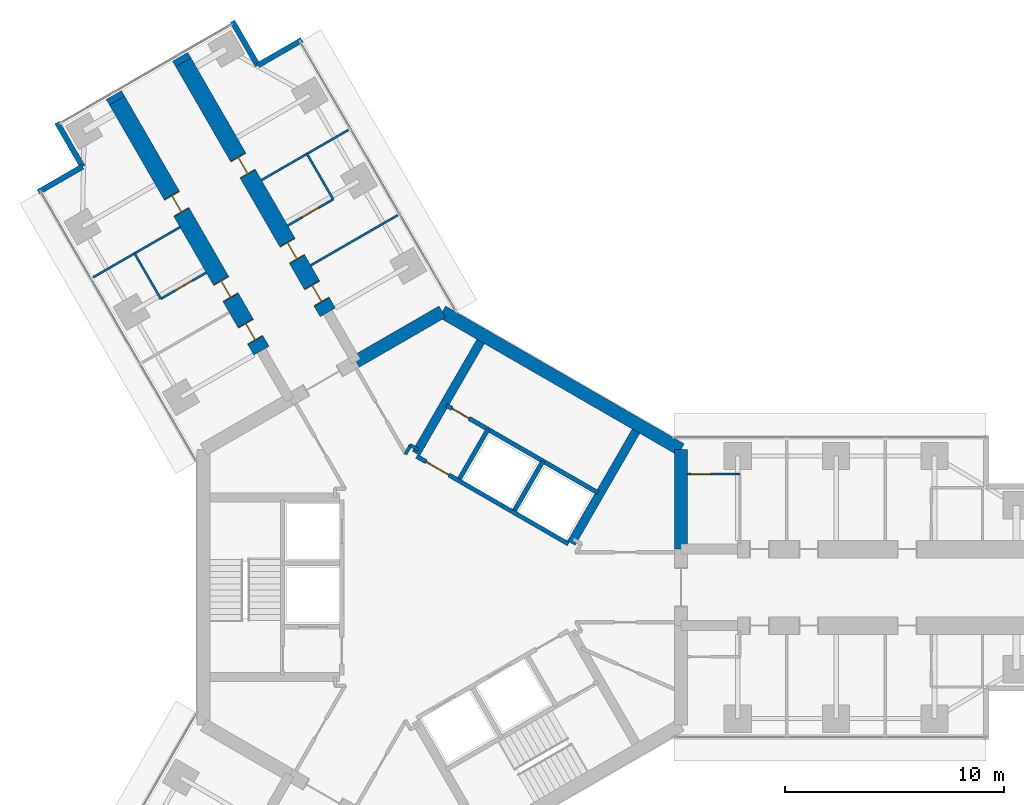
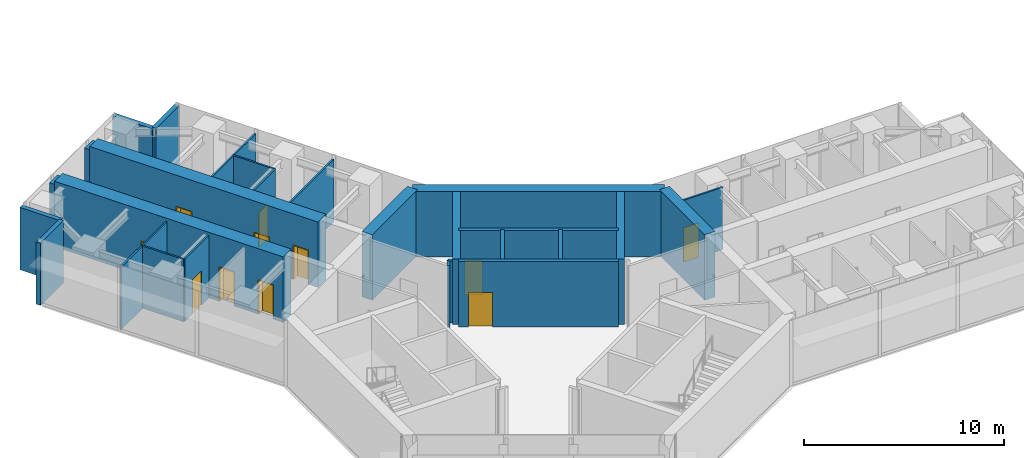
# One storey, part 17 of 23: 27 walls, 11 doors, 11 openings.
"""IFC4 building model written with IfcOpenShell, lengths in metres."""

from ifc_helpers import new_model, si_unit, direction, frame, frame_2d, origin, place, context, subcontext, project, spatial, rectangle, extrude, material, layer, layer_set, type_object, element, fill, save


model = new_model("IFC4")

# Units and contexts
model_context = context("Model", 3, precision=1e-05, world=origin(), true_north=direction((0.0, 1.0)))
body_context = subcontext(model_context, "Body", "Model", "MODEL_VIEW")
ifc_project = project(units=[si_unit("LENGTHUNIT", "METRE"), si_unit("AREAUNIT", "SQUARE_METRE"), si_unit("VOLUMEUNIT", "CUBIC_METRE"), si_unit("PLANEANGLEUNIT", "RADIAN"), si_unit("MASSUNIT", "GRAM", prefix="KILO")], contexts=[model_context])

# Site, building, storey
site_placement = place(None, origin())
site = spatial("IfcSite", under=ifc_project, at=site_placement, CompositionType="ELEMENT")
building_placement = place(site_placement, origin())
building = spatial("IfcBuilding", under=site, at=building_placement, Name="Upepo Twin Towers", CompositionType="ELEMENT")
storey_placement = place(building_placement, frame((0.0, 0.0, 149.5)))
storey = spatial("IfcBuildingStorey", under=building, at=storey_placement, Name="L36", CompositionType="ELEMENT", Elevation=149.5)

# Walls
ifc_material_1 = material(Name="Dense concrete blockwork", Category="masonry")
ifc_layer_1 = layer(ifc_material_1, 0.800048828125)
ifc_layer_set_1 = layer_set([ifc_layer_1], Name="Buttress closer 800, blockwork with fire-stopping to the curtain wall")
wall_type_1 = type_object("IfcWallType", Name="Buttress closer 800, blockwork with fire-stopping to the curtain wall", PredefinedType="PARTITIONING", material=ifc_layer_set_1)
wall_1_placement = place(storey_placement, frame((-14.865478515625, 22.247802734375, 0.0), z_axis=(0.0, 0.0, 1.0), x_axis=(-0.500426713919, 0.865778900179, 0.0)))
element("IfcWall", 1, at=wall_1_placement, inside=storey, type_object=wall_type_1, Name="T1 L36 wing B buttress closer L", PredefinedType="PARTITIONING", context=body_context, shape_type="SweptSolid", body=[
    extrude(rectangle(XDim=0.300048828125, YDim=0.800048828125, at=frame_2d((0.14990234375, 0.0))), origin(), (0.0, 0.0, 1.0), 3.800048828125),
])
wall_2_placement = place(storey_placement, frame((-11.83447265625, 23.997802734375, 0.0), z_axis=(0.0, 0.0, 1.0), x_axis=(-0.499816412211, 0.866131372301, 0.0)))
element("IfcWall", 2, at=wall_2_placement, inside=storey, type_object=wall_type_1, Name="T1 L36 wing B buttress closer R", PredefinedType="PARTITIONING", context=body_context, shape_type="SweptSolid", body=[
    extrude(rectangle(XDim=0.2998046875, YDim=0.800048828125, at=frame_2d((0.14990234375, 0.0))), origin(), (0.0, 0.0, 1.0), 3.800048828125),
])

# Wall, openings, doors
ifc_material_2 = material(Name="Concrete C60/75", Category="concrete")
ifc_layer_2 = layer(ifc_material_2, 0.800048828125)
ifc_layer_set_2 = layer_set([ifc_layer_2], Name="Concrete C60/75")
wall_type_2 = type_object("IfcWallType", Name="Buttress wall 800 RC", PredefinedType="SHEAR", material=ifc_layer_set_2)
wall_3_placement = place(storey_placement, frame((-8.265625, 10.81640625, 0.0), z_axis=(0.0, 0.0, 1.0), x_axis=(-0.499996231654, 0.866027579429, 0.0)))
wall_3 = element("IfcWall", 3, at=wall_3_placement, inside=storey, type_object=wall_type_2, Name="T1 wing B buttress wall L part 2", PredefinedType="SHEAR", context=body_context, shape_type="SweptSolid", body=[
    extrude(rectangle(XDim=13.19970703125, YDim=0.800048828125, at=frame_2d((6.599853515625, 0.0))), origin(), (0.0, 0.0, 1.0), 4.0),
])
opening_1_placement = place(wall_3_placement, frame((0.550048828125, 0.0, 0.0)))
opening_1 = element("IfcOpeningElement", 4, at=opening_1_placement, cuts=wall_3, Name="Opening D14", PredefinedType="OPENING", context=body_context, shape_type="SweptSolid", body=[
    extrude(rectangle(XDim=0.89990234375, YDim=2.10009765625, at=frame_2d((0.449951171875, 1.050048828125))), frame((0.0, 0.409912109375, 0.0), z_axis=(0.0, -1.0, 0.0), x_axis=(1.0, 0.0, 0.0)), (0.0, 0.0, 1.0), 0.820068359375),
])
opening_2_placement = place(wall_3_placement, frame((2.800048828125, 0.0, 0.0)))
opening_2 = element("IfcOpeningElement", 5, at=opening_2_placement, cuts=wall_3, Name="Opening D14", PredefinedType="OPENING", context=body_context, shape_type="SweptSolid", body=[
    extrude(rectangle(XDim=0.89990234375, YDim=2.10009765625, at=frame_2d((0.449951171875, 1.050048828125))), frame((0.0, 0.409912109375, 0.0), z_axis=(0.0, -1.0, 0.0), x_axis=(1.0, 0.0, 0.0)), (0.0, 0.0, 1.0), 0.820068359375),
])
opening_3_placement = place(wall_3_placement, frame((7.300048828125, 0.0, 0.0)))
opening_3 = element("IfcOpeningElement", 6, at=opening_3_placement, cuts=wall_3, Name="Opening D14", PredefinedType="OPENING", context=body_context, shape_type="SweptSolid", body=[
    extrude(rectangle(XDim=0.89990234375, YDim=2.10009765625, at=frame_2d((0.449951171875, 1.050048828125))), frame((0.0, 0.409912109375, 0.0), z_axis=(0.0, -1.0, 0.0), x_axis=(1.0, 0.0, 0.0)), (0.0, 0.0, 1.0), 0.820068359375),
])
ifc_material_3 = material(Name="Timber doorset", Category="wood")
door_type_1 = type_object("IfcDoorType", Name="Office door 900 FD30", OperationType="SINGLE_SWING_LEFT", PredefinedType="DOOR", material=ifc_material_3)
door_1_placement = place(opening_1_placement, origin())
door_1 = element("IfcDoor", 7, at=door_1_placement, inside=storey, type_object=door_type_1, Name="T1 L36 staff office door", OperationType="SINGLE_SWING_LEFT", OverallHeight=2.10009765625, OverallWidth=0.89990234375, PredefinedType="DOOR", context=body_context, shape_type="SweptSolid", body=[
    extrude(rectangle(XDim=0.81990234375, YDim=2.06009765625, at=frame_2d((0.449951171875, 1.030029296875))), frame((0.0, 0.02490234375, 0.0), z_axis=(0.0, -1.0, 0.0), x_axis=(1.0, 0.0, 0.0)), (0.0, 0.0, 1.0), 0.050048828125),
    extrude(rectangle(XDim=0.04, YDim=2.10009765625, at=frame_2d((0.02001953125, 1.050048828125))), frame((0.0, 0.39990234375, 0.0), z_axis=(0.0, -1.0, 0.0), x_axis=(1.0, 0.0, 0.0)), (0.0, 0.0, 1.0), 0.799560546875),
    extrude(rectangle(XDim=0.04, YDim=2.10009765625, at=frame_2d((0.8798828125, 1.050048828125))), frame((0.0, 0.39990234375, 0.0), z_axis=(0.0, -1.0, 0.0), x_axis=(1.0, 0.0, 0.0)), (0.0, 0.0, 1.0), 0.799560546875),
    extrude(rectangle(XDim=0.81990234375, YDim=0.04, at=frame_2d((0.449951171875, 2.080078125))), frame((0.0, 0.39990234375, 0.0), z_axis=(0.0, -1.0, 0.0), x_axis=(1.0, 0.0, 0.0)), (0.0, 0.0, 1.0), 0.799560546875),
])
fill(opening_1, door_1)
door_2_placement = place(opening_2_placement, origin())
door_2 = element("IfcDoor", 8, at=door_2_placement, inside=storey, type_object=door_type_1, Name="T1 L36 postgraduate office door", OperationType="SINGLE_SWING_LEFT", OverallHeight=2.10009765625, OverallWidth=0.89990234375, PredefinedType="DOOR", context=body_context, shape_type="SweptSolid", body=[
    extrude(rectangle(XDim=0.81990234375, YDim=2.06009765625, at=frame_2d((0.449951171875, 1.030029296875))), frame((0.0, 0.02490234375, 0.0), z_axis=(0.0, -1.0, 0.0), x_axis=(1.0, 0.0, 0.0)), (0.0, 0.0, 1.0), 0.050048828125),
    extrude(rectangle(XDim=0.04, YDim=2.10009765625, at=frame_2d((0.02001953125, 1.050048828125))), frame((0.0, 0.39990234375, 0.0), z_axis=(0.0, -1.0, 0.0), x_axis=(1.0, 0.0, 0.0)), (0.0, 0.0, 1.0), 0.799560546875),
    extrude(rectangle(XDim=0.04, YDim=2.10009765625, at=frame_2d((0.8798828125, 1.050048828125))), frame((0.0, 0.39990234375, 0.0), z_axis=(0.0, -1.0, 0.0), x_axis=(1.0, 0.0, 0.0)), (0.0, 0.0, 1.0), 0.799560546875),
    extrude(rectangle(XDim=0.81990234375, YDim=0.04, at=frame_2d((0.449951171875, 2.080078125))), frame((0.0, 0.39990234375, 0.0), z_axis=(0.0, -1.0, 0.0), x_axis=(1.0, 0.0, 0.0)), (0.0, 0.0, 1.0), 0.799560546875),
])
fill(opening_2, door_2)
door_3_placement = place(opening_3_placement, origin())
door_3 = element("IfcDoor", 9, at=door_3_placement, inside=storey, type_object=door_type_1, Name="T1 L36 meeting room door", OperationType="SINGLE_SWING_RIGHT", OverallHeight=2.10009765625, OverallWidth=0.89990234375, PredefinedType="DOOR", context=body_context, shape_type="SweptSolid", body=[
    extrude(rectangle(XDim=0.81990234375, YDim=2.06009765625, at=frame_2d((0.449951171875, 1.030029296875))), frame((0.0, 0.02490234375, 0.0), z_axis=(0.0, -1.0, 0.0), x_axis=(1.0, 0.0, 0.0)), (0.0, 0.0, 1.0), 0.050048828125),
    extrude(rectangle(XDim=0.04, YDim=2.10009765625, at=frame_2d((0.02001953125, 1.050048828125))), frame((0.0, 0.39990234375, 0.0), z_axis=(0.0, -1.0, 0.0), x_axis=(1.0, 0.0, 0.0)), (0.0, 0.0, 1.0), 0.799560546875),
    extrude(rectangle(XDim=0.04, YDim=2.10009765625, at=frame_2d((0.8798828125, 1.050048828125))), frame((0.0, 0.39990234375, 0.0), z_axis=(0.0, -1.0, 0.0), x_axis=(1.0, 0.0, 0.0)), (0.0, 0.0, 1.0), 0.799560546875),
    extrude(rectangle(XDim=0.81990234375, YDim=0.04, at=frame_2d((0.449951171875, 2.080078125))), frame((0.0, 0.39990234375, 0.0), z_axis=(0.0, -1.0, 0.0), x_axis=(1.0, 0.0, 0.0)), (0.0, 0.0, 1.0), 0.799560546875),
])
fill(opening_3, door_3)

wall_4_placement = place(storey_placement, frame((-5.234375, 12.56640625, 0.0), z_axis=(0.0, 0.0, 1.0), x_axis=(-0.500010103361, 0.866019570528, 0.0)))
wall_4 = element("IfcWall", 10, at=wall_4_placement, inside=storey, type_object=wall_type_2, Name="T1 wing B buttress wall R part 2", PredefinedType="SHEAR", context=body_context, shape_type="SweptSolid", body=[
    extrude(rectangle(XDim=13.199951171875, YDim=0.800048828125, at=frame_2d((6.60009765625, 0.0))), origin(), (0.0, 0.0, 1.0), 4.0),
])
opening_4_placement = place(wall_4_placement, frame((0.550048828125, 0.0, 0.0)))
opening_4 = element("IfcOpeningElement", 11, at=opening_4_placement, cuts=wall_4, Name="Opening D14", PredefinedType="OPENING", context=body_context, shape_type="SweptSolid", body=[
    extrude(rectangle(XDim=0.89990234375, YDim=2.10009765625, at=frame_2d((0.449951171875, 1.050048828125))), frame((0.0, 0.409912109375, 0.0), z_axis=(0.0, -1.0, 0.0), x_axis=(1.0, 0.0, 0.0)), (0.0, 0.0, 1.0), 0.820068359375),
])
opening_5_placement = place(wall_4_placement, frame((2.800048828125, 0.0, 0.0)))
opening_5 = element("IfcOpeningElement", 12, at=opening_5_placement, cuts=wall_4, Name="Opening D14", PredefinedType="OPENING", context=body_context, shape_type="SweptSolid", body=[
    extrude(rectangle(XDim=0.89990234375, YDim=2.10009765625, at=frame_2d((0.449951171875, 1.050048828125))), frame((0.0, 0.409912109375, 0.0), z_axis=(0.0, -1.0, 0.0), x_axis=(1.0, 0.0, 0.0)), (0.0, 0.0, 1.0), 0.820068359375),
])
opening_6_placement = place(wall_4_placement, frame((7.300048828125, 0.0, 0.0)))
opening_6 = element("IfcOpeningElement", 13, at=opening_6_placement, cuts=wall_4, Name="Opening D14", PredefinedType="OPENING", context=body_context, shape_type="SweptSolid", body=[
    extrude(rectangle(XDim=0.89990234375, YDim=2.10009765625, at=frame_2d((0.449951171875, 1.050048828125))), frame((0.0, 0.409912109375, 0.0), z_axis=(0.0, -1.0, 0.0), x_axis=(1.0, 0.0, 0.0)), (0.0, 0.0, 1.0), 0.820068359375),
])
door_4_placement = place(opening_4_placement, origin())
door_4 = element("IfcDoor", 14, at=door_4_placement, inside=storey, type_object=door_type_1, Name="T1 L36 staff office door", OperationType="SINGLE_SWING_LEFT", OverallHeight=2.10009765625, OverallWidth=0.89990234375, PredefinedType="DOOR", context=body_context, shape_type="SweptSolid", body=[
    extrude(rectangle(XDim=0.81990234375, YDim=2.06009765625, at=frame_2d((0.449951171875, 1.030029296875))), frame((0.0, 0.02490234375, 0.0), z_axis=(0.0, -1.0, 0.0), x_axis=(1.0, 0.0, 0.0)), (0.0, 0.0, 1.0), 0.050048828125),
    extrude(rectangle(XDim=0.04, YDim=2.10009765625, at=frame_2d((0.02001953125, 1.050048828125))), frame((0.0, 0.39990234375, 0.0), z_axis=(0.0, -1.0, 0.0), x_axis=(1.0, 0.0, 0.0)), (0.0, 0.0, 1.0), 0.799560546875),
    extrude(rectangle(XDim=0.04, YDim=2.10009765625, at=frame_2d((0.8798828125, 1.050048828125))), frame((0.0, 0.39990234375, 0.0), z_axis=(0.0, -1.0, 0.0), x_axis=(1.0, 0.0, 0.0)), (0.0, 0.0, 1.0), 0.799560546875),
    extrude(rectangle(XDim=0.81990234375, YDim=0.04, at=frame_2d((0.449951171875, 2.080078125))), frame((0.0, 0.39990234375, 0.0), z_axis=(0.0, -1.0, 0.0), x_axis=(1.0, 0.0, 0.0)), (0.0, 0.0, 1.0), 0.799560546875),
])
fill(opening_4, door_4)
door_5_placement = place(opening_5_placement, origin())
door_5 = element("IfcDoor", 15, at=door_5_placement, inside=storey, type_object=door_type_1, Name="T1 L36 staff office door", OperationType="SINGLE_SWING_LEFT", OverallHeight=2.10009765625, OverallWidth=0.89990234375, PredefinedType="DOOR", context=body_context, shape_type="SweptSolid", body=[
    extrude(rectangle(XDim=0.81990234375, YDim=2.06009765625, at=frame_2d((0.449951171875, 1.030029296875))), frame((0.0, 0.02490234375, 0.0), z_axis=(0.0, -1.0, 0.0), x_axis=(1.0, 0.0, 0.0)), (0.0, 0.0, 1.0), 0.050048828125),
    extrude(rectangle(XDim=0.04, YDim=2.10009765625, at=frame_2d((0.02001953125, 1.050048828125))), frame((0.0, 0.39990234375, 0.0), z_axis=(0.0, -1.0, 0.0), x_axis=(1.0, 0.0, 0.0)), (0.0, 0.0, 1.0), 0.799560546875),
    extrude(rectangle(XDim=0.04, YDim=2.10009765625, at=frame_2d((0.8798828125, 1.050048828125))), frame((0.0, 0.39990234375, 0.0), z_axis=(0.0, -1.0, 0.0), x_axis=(1.0, 0.0, 0.0)), (0.0, 0.0, 1.0), 0.799560546875),
    extrude(rectangle(XDim=0.81990234375, YDim=0.04, at=frame_2d((0.449951171875, 2.080078125))), frame((0.0, 0.39990234375, 0.0), z_axis=(0.0, -1.0, 0.0), x_axis=(1.0, 0.0, 0.0)), (0.0, 0.0, 1.0), 0.799560546875),
])
fill(opening_5, door_5)
door_6_placement = place(opening_6_placement, origin())
door_6 = element("IfcDoor", 16, at=door_6_placement, inside=storey, type_object=door_type_1, Name="T1 L36 postgraduate office door", OperationType="SINGLE_SWING_RIGHT", OverallHeight=2.10009765625, OverallWidth=0.89990234375, PredefinedType="DOOR", context=body_context, shape_type="SweptSolid", body=[
    extrude(rectangle(XDim=0.81990234375, YDim=2.06009765625, at=frame_2d((0.449951171875, 1.030029296875))), frame((0.0, 0.02490234375, 0.0), z_axis=(0.0, -1.0, 0.0), x_axis=(1.0, 0.0, 0.0)), (0.0, 0.0, 1.0), 0.050048828125),
    extrude(rectangle(XDim=0.04, YDim=2.10009765625, at=frame_2d((0.02001953125, 1.050048828125))), frame((0.0, 0.39990234375, 0.0), z_axis=(0.0, -1.0, 0.0), x_axis=(1.0, 0.0, 0.0)), (0.0, 0.0, 1.0), 0.799560546875),
    extrude(rectangle(XDim=0.04, YDim=2.10009765625, at=frame_2d((0.8798828125, 1.050048828125))), frame((0.0, 0.39990234375, 0.0), z_axis=(0.0, -1.0, 0.0), x_axis=(1.0, 0.0, 0.0)), (0.0, 0.0, 1.0), 0.799560546875),
    extrude(rectangle(XDim=0.81990234375, YDim=0.04, at=frame_2d((0.449951171875, 2.080078125))), frame((0.0, 0.39990234375, 0.0), z_axis=(0.0, -1.0, 0.0), x_axis=(1.0, 0.0, 0.0)), (0.0, 0.0, 1.0), 0.799560546875),
])
fill(opening_6, door_6)

# Walls
ifc_material_4 = material(Name="Concrete C60/75", Category="concrete")
ifc_layer_3 = layer(ifc_material_4, 0.60009765625)
ifc_layer_set_3 = layer_set([ifc_layer_3], Name="Concrete C60/75")
wall_type_3 = type_object("IfcWallType", Name="Core wall 600 RC", PredefinedType="SHEAR", material=ifc_layer_set_3)
wall_5_placement = place(storey_placement, frame((10.908447265625, 1.75, 0.0), z_axis=(0.0, 0.0, 1.0), x_axis=(0.0, 1.0, 0.0)))
element("IfcWall", 17, at=wall_5_placement, inside=storey, type_object=wall_type_3, Name="T1 core wall 000 L", PredefinedType="SHEAR", context=body_context, shape_type="SweptSolid", body=[
    extrude(rectangle(XDim=4.5478515625, YDim=0.60009765625, at=frame_2d((2.27392578125, 0.0))), origin(), (0.0, 0.0, 1.0), 4.0),
])
wall_6_placement = place(storey_placement, frame((10.908447265625, 6.2978515625, 0.0), z_axis=(0.0, 0.0, 1.0), x_axis=(-0.866021940709, 0.500005998175, 0.0)))
element("IfcWall", 18, at=wall_6_placement, inside=storey, type_object=wall_type_3, Name="T1 core wall 060", PredefinedType="SHEAR", context=body_context, shape_type="SweptSolid", body=[
    extrude(rectangle(XDim=12.595947265625, YDim=0.60009765625, at=frame_2d((6.2978515625, 0.0))), origin(), (0.0, 0.0, 1.0), 4.0),
])
wall_7_placement = place(storey_placement, frame((0.0, 12.595947265625, 0.0), z_axis=(0.0, 0.0, 1.0), x_axis=(-0.866011268655, -0.500024481964, 0.0)))
element("IfcWall", 19, at=wall_7_placement, inside=storey, type_object=wall_type_3, Name="T1 core wall 120 R", PredefinedType="SHEAR", context=body_context, shape_type="SweptSolid", body=[
    extrude(rectangle(XDim=4.548095703125, YDim=0.60009765625, at=frame_2d((2.27392578125, 0.0))), origin(), (0.0, 0.0, 1.0), 4.0),
])
ifc_material_5 = material(Name="Blockwork with anodised aluminium cladding", Category="masonry")
ifc_layer_4 = layer(ifc_material_5, 0.25)
ifc_layer_set_4 = layer_set([ifc_layer_4], Name="Notch cladding wall 250, pale metal")
wall_type_4 = type_object("IfcWallType", Name="Notch cladding wall 250, pale metal", PredefinedType="STANDARD", material=ifc_layer_set_4)
for number, where, z_axis, x_axis, name in (
    (20, (-18.456298828125, 18.0673828125, 0.0), (0.0, 0.0, 1.0), (0.865998469481, 0.500046648681, 0.0), "T1 L36 wing B notch wall L1"),
    (21, (-16.44287109375, 19.22998046875, 0.0), (0.0, 0.0, 1.0), (-0.500046648681, 0.865998469481, 0.0), "T1 L36 wing B notch wall L2"),
    (22, (-6.418701171875, 25.017333984375, 0.0), (0.0, 0.0, 1.0), (-0.866043940782, -0.499967891604, 0.0), "T1 L36 wing B notch wall R1"),
    (23, (-8.43212890625, 23.85498046875, 0.0), (0.0, 0.0, 1.0), (-0.500046648681, 0.865998469481, 0.0), "T1 L36 wing B notch wall R2"),
):
    element("IfcWall", number, at=place(storey_placement, frame(where, z_axis=z_axis, x_axis=x_axis)), inside=storey, type_object=wall_type_4, Name=name, PredefinedType="STANDARD", context=body_context, shape_type="SweptSolid", body=[
        extrude(rectangle(XDim=2.324951171875, YDim=0.25, at=frame_2d((1.16259765625, 0.0))), origin(), (0.0, 0.0, 1.0), 3.800048828125),
    ])

# Wall, opening, door
ifc_material_6 = material(Name="Gypsum board on steel studs", Category="steel")
ifc_layer_5 = layer(ifc_material_6, 0.10009765625)
ifc_layer_set_5 = layer_set([ifc_layer_5], Name="Office partition 100 stud")
wall_type_5 = type_object("IfcWallType", Name="Office partition 100 stud", PredefinedType="PARTITIONING", material=ifc_layer_set_5)
wall_8_placement = place(storey_placement, frame((11.2080078125, 5.175048828125, 0.0), z_axis=(0.0, 0.0, 1.0), x_axis=(1.0, 0.0, 0.0)))
wall_8 = element("IfcWall", 24, at=wall_8_placement, inside=storey, type_object=wall_type_5, Name="T1 WC bay partition AL at 11.21", PredefinedType="PARTITIONING", context=body_context, shape_type="SweptSolid", body=[
    extrude(rectangle(XDim=2.39990234375, YDim=0.10009765625, at=frame_2d((1.199951171875, 0.0))), origin(), (0.0, 0.0, 1.0), 3.800048828125),
])
opening_7_placement = place(wall_8_placement, frame((0.14990234375, 0.0, 0.0)))
opening_7 = element("IfcOpeningElement", 25, at=opening_7_placement, cuts=wall_8, Name="Opening D14", PredefinedType="OPENING", context=body_context, shape_type="SweptSolid", body=[
    extrude(rectangle(XDim=0.89990234375, YDim=2.10009765625, at=frame_2d((0.449951171875, 1.050048828125))), frame((0.0, 0.06005859375, 0.0), z_axis=(0.0, -1.0, 0.0), x_axis=(1.0, 0.0, 0.0)), (0.0, 0.0, 1.0), 0.1201171875),
])
door_7_placement = place(opening_7_placement, origin())
door_7 = element("IfcDoor", 26, at=door_7_placement, inside=storey, type_object=door_type_1, Name="T1 L36 WC bay inner room door", OperationType="SINGLE_SWING_LEFT", OverallHeight=2.10009765625, OverallWidth=0.89990234375, PredefinedType="DOOR", context=body_context, shape_type="SweptSolid", body=[
    extrude(rectangle(XDim=0.89990234375, YDim=2.10009765625, at=frame_2d((0.449951171875, 1.050048828125))), frame((0.0, 0.02490234375, 0.0), z_axis=(0.0, -1.0, 0.0), x_axis=(1.0, 0.0, 0.0)), (0.0, 0.0, 1.0), 0.050048828125),
])
fill(opening_7, door_7)

# Walls
wall_9_placement = place(storey_placement, frame((-11.987060546875, 16.4619140625, 0.0), z_axis=(0.0, 0.0, 1.0), x_axis=(-0.866039752405, -0.499975146636, 0.0)))
element("IfcWall", 27, at=wall_9_placement, inside=storey, type_object=wall_type_5, Name="T1 partition BL at 20.25", PredefinedType="PARTITIONING", context=body_context, shape_type="SweptSolid", body=[
    extrude(rectangle(XDim=4.599853515625, YDim=0.10009765625, at=frame_2d((2.2998046875, 0.0))), origin(), (0.0, 0.0, 1.0), 3.800048828125),
])
wall_10_placement = place(storey_placement, frame((-12.865478515625, 13.18359375, 0.0), z_axis=(0.0, 0.0, 1.0), x_axis=(-0.500001309137, 0.866024647952, 0.0)))
element("IfcWall", 28, at=wall_10_placement, inside=storey, type_object=wall_type_5, Name="T1 inner room partition BL at 17.85", PredefinedType="PARTITIONING", context=body_context, shape_type="SweptSolid", body=[
    extrude(rectangle(XDim=2.39990234375, YDim=0.10009765625, at=frame_2d((1.199951171875, 0.0))), origin(), (0.0, 0.0, 1.0), 3.800048828125),
])

# Wall, opening, door
wall_11_placement = place(storey_placement, frame((-10.786865234375, 14.383544921875, 0.0), z_axis=(0.0, 0.0, 1.0), x_axis=(-0.866050077142, -0.499957262057, 0.0)))
wall_11 = element("IfcWall", 29, at=wall_11_placement, inside=storey, type_object=wall_type_5, Name="T1 inner room partition BL end at 17.85", PredefinedType="PARTITIONING", context=body_context, shape_type="SweptSolid", body=[
    extrude(rectangle(XDim=2.400146484375, YDim=0.10009765625, at=frame_2d((1.2001953125, 0.0))), origin(), (0.0, 0.0, 1.0), 3.800048828125),
])
opening_8_placement = place(wall_11_placement, frame((0.75, 0.0, 0.0)))
opening_8 = element("IfcOpeningElement", 30, at=opening_8_placement, cuts=wall_11, Name="Opening D14", PredefinedType="OPENING", context=body_context, shape_type="SweptSolid", body=[
    extrude(rectangle(XDim=0.89990234375, YDim=2.10009765625, at=frame_2d((0.449951171875, 1.050048828125))), frame((0.0, 0.06005859375, 0.0), z_axis=(0.0, -1.0, 0.0), x_axis=(1.0, 0.0, 0.0)), (0.0, 0.0, 1.0), 0.1201171875),
])
door_8_placement = place(opening_8_placement, origin())
door_8 = element("IfcDoor", 31, at=door_8_placement, inside=storey, type_object=door_type_1, Name="T1 L36 inner room door", OperationType="SINGLE_SWING_LEFT", OverallHeight=2.10009765625, OverallWidth=0.89990234375, PredefinedType="DOOR", context=body_context, shape_type="SweptSolid", body=[
    extrude(rectangle(XDim=0.89990234375, YDim=2.10009765625, at=frame_2d((0.449951171875, 1.050048828125))), frame((0.0, 0.02490234375, 0.0), z_axis=(0.0, -1.0, 0.0), x_axis=(1.0, 0.0, 0.0)), (0.0, 0.0, 1.0), 0.050048828125),
])
fill(opening_8, door_8)

# Walls
for number, where, z_axis, x_axis, name in (
    (32, (-6.012939453125, 14.71484375, 0.0), (0.0, 0.0, 1.0), (0.866016770315, 0.500014953309, 0.0), "T1 partition BR at 15.75"),
    (33, (-8.262939453125, 18.612060546875, 0.0), (0.0, 0.0, 1.0), (0.866016770315, 0.500014953309, 0.0), "T1 partition BR at 20.25"),
):
    element("IfcWall", number, at=place(storey_placement, frame(where, z_axis=z_axis, x_axis=x_axis)), inside=storey, type_object=wall_type_5, Name=name, PredefinedType="PARTITIONING", context=body_context, shape_type="SweptSolid", body=[
        extrude(rectangle(XDim=4.599853515625, YDim=0.10009765625, at=frame_2d((2.2998046875, 0.0))), origin(), (0.0, 0.0, 1.0), 3.800048828125),
    ])
wall_12_placement = place(storey_placement, frame((-4.984619140625, 17.733642578125, 0.0), z_axis=(0.0, 0.0, 1.0), x_axis=(-0.500001309137, 0.866024647952, 0.0)))
element("IfcWall", 34, at=wall_12_placement, inside=storey, type_object=wall_type_5, Name="T1 inner room partition BR at 17.85", PredefinedType="PARTITIONING", context=body_context, shape_type="SweptSolid", body=[
    extrude(rectangle(XDim=2.39990234375, YDim=0.10009765625, at=frame_2d((1.199951171875, 0.0))), origin(), (0.0, 0.0, 1.0), 3.800048828125),
])

# Wall, opening, door
wall_13_placement = place(storey_placement, frame((-7.06298828125, 16.533447265625, 0.0), z_axis=(0.0, 0.0, 1.0), x_axis=(0.865980596518, 0.500077600433, 0.0)))
wall_13 = element("IfcWall", 35, at=wall_13_placement, inside=storey, type_object=wall_type_5, Name="T1 inner room partition BR end at 17.85", PredefinedType="PARTITIONING", context=body_context, shape_type="SweptSolid", body=[
    extrude(rectangle(XDim=2.39990234375, YDim=0.10009765625, at=frame_2d((1.199951171875, 0.0))), origin(), (0.0, 0.0, 1.0), 3.800048828125),
])
opening_9_placement = place(wall_13_placement, frame((0.75, 0.0, 0.0)))
opening_9 = element("IfcOpeningElement", 36, at=opening_9_placement, cuts=wall_13, Name="Opening D14", PredefinedType="OPENING", context=body_context, shape_type="SweptSolid", body=[
    extrude(rectangle(XDim=0.89990234375, YDim=2.10009765625, at=frame_2d((0.449951171875, 1.050048828125))), frame((0.0, 0.06005859375, 0.0), z_axis=(0.0, -1.0, 0.0), x_axis=(1.0, 0.0, 0.0)), (0.0, 0.0, 1.0), 0.1201171875),
])
door_9_placement = place(opening_9_placement, origin())
door_9 = element("IfcDoor", 37, at=door_9_placement, inside=storey, type_object=door_type_1, Name="T1 L36 inner room door", OperationType="SINGLE_SWING_LEFT", OverallHeight=2.10009765625, OverallWidth=0.89990234375, PredefinedType="DOOR", context=body_context, shape_type="SweptSolid", body=[
    extrude(rectangle(XDim=0.89990234375, YDim=2.10009765625, at=frame_2d((0.449951171875, 1.050048828125))), frame((0.0, 0.02490234375, 0.0), z_axis=(0.0, -1.0, 0.0), x_axis=(1.0, 0.0, 0.0)), (0.0, 0.0, 1.0), 0.050048828125),
])
fill(opening_9, door_9)

ifc_material_7 = material(Name="Concrete C40/50", Category="concrete")
ifc_layer_6 = layer(ifc_material_7, 0.199951171875)
ifc_layer_set_6 = layer_set([ifc_layer_6], Name="Concrete C40/50")
wall_type_6 = type_object("IfcWallType", Name="Shaft wall 200 RC", PredefinedType="SHEAR", material=ifc_layer_set_6)
wall_14_placement = place(storey_placement, frame((5.76416015625, 1.983642578125, 0.0), z_axis=(0.0, 0.0, 1.0), x_axis=(-0.866026010844, 0.49999894854, 0.0)))
wall_14 = element("IfcWall", 38, at=wall_14_placement, inside=storey, type_object=wall_type_6, Name="T1 core W60 front wall", PredefinedType="SHEAR", context=body_context, shape_type="SweptSolid", body=[
    extrude(rectangle(XDim=8.0, YDim=0.199951171875, at=frame_2d((4.0, 0.0))), origin(), (0.0, 0.0, 1.0), 4.0),
])
opening_10_placement = place(wall_14_placement, frame((6.300048828125, 0.0, 0.0)))
opening_10 = element("IfcOpeningElement", 39, at=opening_10_placement, cuts=wall_14, Name="Opening D4", PredefinedType="OPENING", context=body_context, shape_type="SweptSolid", body=[
    extrude(rectangle(XDim=1.199951171875, YDim=2.10009765625, at=frame_2d((0.60009765625, 1.050048828125))), frame((0.0, 0.10986328125, 0.0), z_axis=(0.0, -1.0, 0.0), x_axis=(1.0, 0.0, 0.0)), (0.0, 0.0, 1.0), 0.219970703125),
])
ifc_material_8 = material(Name="Timber doorset", Category="wood")
door_type_2 = type_object("IfcDoorType", Name="Lobby door 1200 FD60", OperationType="SINGLE_SWING_LEFT", PredefinedType="DOOR", material=ifc_material_8)
door_10_placement = place(opening_10_placement, origin())
door_10 = element("IfcDoor", 40, at=door_10_placement, inside=storey, type_object=door_type_2, Name="T1 L36 W60 lobby door", OperationType="SINGLE_SWING_RIGHT", OverallHeight=2.10009765625, OverallWidth=1.199951171875, PredefinedType="DOOR", context=body_context, shape_type="SweptSolid", body=[
    extrude(rectangle(XDim=1.199951171875, YDim=2.10009765625, at=frame_2d((0.60009765625, 1.050048828125))), frame((0.0, 0.02490234375, 0.0), z_axis=(0.0, -1.0, 0.0), x_axis=(1.0, 0.0, 0.0)), (0.0, 0.0, 1.0), 0.050048828125),
])
fill(opening_10, door_10)

# Walls
for number, where, z_axis, x_axis, name in (
    (41, (3.302734375, 3.520263671875, 0.0), (0.0, 0.0, 1.0), (0.499936506574, 0.866062058628, 0.0), "T1 core W60 shaft divider"),
    (42, (0.791259765625, 4.97021484375, 0.0), (0.0, 0.0, 1.0), (0.499936506574, 0.866062058628, 0.0), "T1 core W60 lobby wall"),
):
    element("IfcWall", number, at=place(storey_placement, frame(where, z_axis=z_axis, x_axis=x_axis)), inside=storey, type_object=wall_type_6, Name=name, PredefinedType="SHEAR", context=body_context, shape_type="SweptSolid", body=[
        extrude(rectangle(XDim=2.599853515625, YDim=0.199951171875, at=frame_2d((1.2998046875, 0.0))), origin(), (0.0, 0.0, 1.0), 4.0),
    ])

# Wall, opening, door
wall_15_placement = place(storey_placement, frame((7.114013671875, 4.322021484375, 0.0), z_axis=(0.0, 0.0, 1.0), x_axis=(-0.866026010844, 0.49999894854, 0.0)))
wall_15 = element("IfcWall", 43, at=wall_15_placement, inside=storey, type_object=wall_type_6, Name="T1 core W60 stair wall", PredefinedType="SHEAR", context=body_context, shape_type="SweptSolid", body=[
    extrude(rectangle(XDim=8.0, YDim=0.199951171875, at=frame_2d((4.0, 0.0))), origin(), (0.0, 0.0, 1.0), 4.0),
])
opening_11_placement = place(wall_15_placement, frame((6.800048828125, 0.0, 0.0)))
opening_11 = element("IfcOpeningElement", 44, at=opening_11_placement, cuts=wall_15, Name="Opening D9", PredefinedType="OPENING", context=body_context, shape_type="SweptSolid", body=[
    extrude(rectangle(XDim=0.89990234375, YDim=2.10009765625, at=frame_2d((0.449951171875, 1.050048828125))), frame((0.0, 0.10986328125, 0.0), z_axis=(0.0, -1.0, 0.0), x_axis=(1.0, 0.0, 0.0)), (0.0, 0.0, 1.0), 0.219970703125),
])
ifc_material_9 = material(Name="Timber doorset", Category="wood")
door_type_3 = type_object("IfcDoorType", Name="Riser door 900 FD60", OperationType="SINGLE_SWING_LEFT", PredefinedType="DOOR", material=ifc_material_9)
door_11_placement = place(opening_11_placement, origin())
door_11 = element("IfcDoor", 45, at=door_11_placement, inside=storey, type_object=door_type_3, Name="T1 L36 riser door", OperationType="SINGLE_SWING_RIGHT", OverallHeight=2.10009765625, OverallWidth=0.89990234375, PredefinedType="DOOR", context=body_context, shape_type="SweptSolid", body=[
    extrude(rectangle(XDim=0.89990234375, YDim=2.10009765625, at=frame_2d((0.449951171875, 1.050048828125))), frame((0.0, 0.02490234375, 0.0), z_axis=(0.0, -1.0, 0.0), x_axis=(1.0, 0.0, 0.0)), (0.0, 0.0, 1.0), 0.050048828125),
])
fill(opening_11, door_11)

# Walls
ifc_material_10 = material(Name="Concrete C40/50", Category="concrete")
ifc_layer_7 = layer(ifc_material_10, 0.39990234375)
ifc_layer_set_7 = layer_set([ifc_layer_7], Name="Concrete C40/50")
wall_type_7 = type_object("IfcWallType", Name="Shaft wall 400 RC", PredefinedType="SHEAR", material=ifc_layer_set_7)
wall_16_placement = place(storey_placement, frame((-1.20068359375, 6.120361328125, 0.0), z_axis=(0.0, 0.0, 1.0), x_axis=(0.49999668571, 0.866027317282, 0.0)))
element("IfcWall", 46, at=wall_16_placement, inside=storey, type_object=wall_type_7, Name="T1 core W60 side wall N", PredefinedType="SHEAR", context=body_context, shape_type="SweptSolid", body=[
    extrude(rectangle(XDim=5.908203125, YDim=0.39990234375, at=frame_2d((2.9541015625, 0.0))), origin(), (0.0, 0.0, 1.0), 4.0),
])
wall_17_placement = place(storey_placement, frame((5.900634765625, 2.020263671875, 0.0), z_axis=(0.0, 0.0, 1.0), x_axis=(0.500027676417, 0.866009424208, 0.0)))
element("IfcWall", 47, at=wall_17_placement, inside=storey, type_object=wall_type_7, Name="T1 core W60 side wall S", PredefinedType="SHEAR", context=body_context, shape_type="SweptSolid", body=[
    extrude(rectangle(XDim=5.908447265625, YDim=0.39990234375, at=frame_2d((2.9541015625, 0.0))), origin(), (0.0, 0.0, 1.0), 4.0),
])
ifc_material_11 = material(Name="Gypsum board on steel studs", Category="steel")
ifc_layer_8 = layer(ifc_material_11, 0.14990234375)
ifc_layer_set_8 = layer_set([ifc_layer_8], Name="Teaching partition 150 acoustic")
wall_type_8 = type_object("IfcWallType", Name="Teaching partition 150 acoustic", PredefinedType="PARTITIONING", material=ifc_layer_set_8)
wall_18_placement = place(storey_placement, frame((-1.684326171875, 6.082763671875, 0.0), z_axis=(0.0, 0.0, 1.0), x_axis=(0.50033519877, 0.865831790172, 0.0)))
element("IfcWall", 48, at=wall_18_placement, inside=storey, type_object=wall_type_8, Name="T1 core room partition 12", PredefinedType="PARTITIONING", context=body_context, shape_type="SweptSolid", body=[
    extrude(rectangle(XDim=0.494384765625, YDim=0.14990234375, at=frame_2d((0.2470703125, 0.0))), origin(), (0.0, 0.0, 1.0), 3.800048828125),
])
wall_19_placement = place(storey_placement, frame((-1.46435546875, 6.50341796875, 0.0), z_axis=(0.0, 0.0, 1.0), x_axis=(0.866138304741, -0.499804398801, 0.0)))
element("IfcWall", 49, at=wall_19_placement, inside=storey, type_object=wall_type_8, Name="T1 core room partition 13", PredefinedType="PARTITIONING", context=body_context, shape_type="SweptSolid", body=[
    extrude(rectangle(XDim=0.429931640625, YDim=0.14990234375, at=frame_2d((0.21484375, 0.0))), origin(), (0.0, 0.0, 1.0), 3.800048828125),
])

save(model, "model.ifc")
